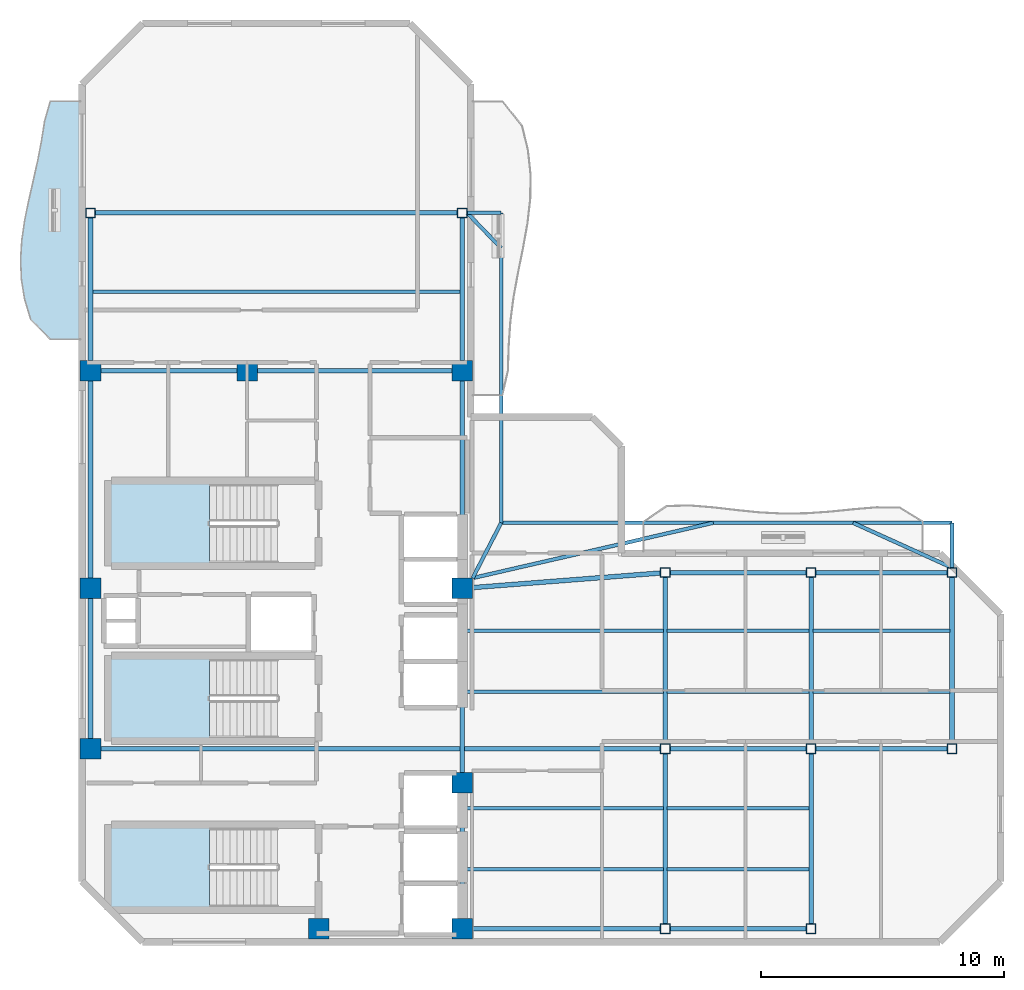
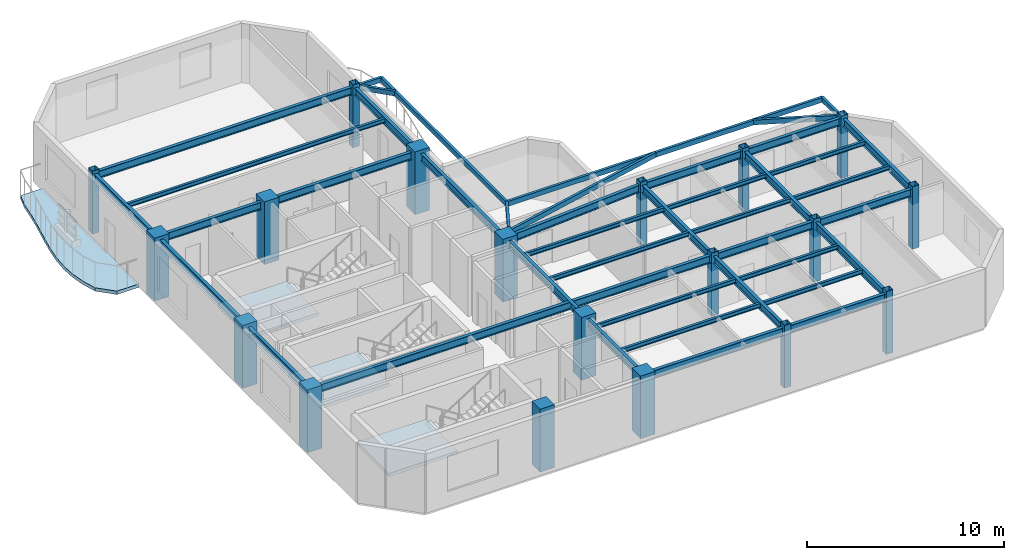
# One storey, part 1 of 7: 42 beams, 19 columns, 4 slabs, 3 elements without a shape of their own.
"""IFC4 building model written with IfcOpenShell, lengths in metres."""

from ifc_helpers import new_model, si_unit, direction, frame, origin, origin_2d, place, context, subcontext, project, spatial, polyline, rectangle, hollow_rectangle, i_section, outline, extrude, material, layer, layer_set, material_profile, profile_set, type_object, element, aggregate, save


model = new_model("IFC4")

# Units and contexts
model_context = context("Model", 3, precision=1e-05, world=origin(), true_north=direction((0.0, 1.0)))
body_context = subcontext(model_context, "Body", "Model", "MODEL_VIEW")
ifc_project = project(units=[si_unit("LENGTHUNIT", "METRE"), si_unit("AREAUNIT", "SQUARE_METRE"), si_unit("VOLUMEUNIT", "CUBIC_METRE"), si_unit("PLANEANGLEUNIT", "RADIAN"), si_unit("MASSUNIT", "GRAM", prefix="KILO")], contexts=[model_context])

# Site, building, storey
site_placement = place(None, origin())
site = spatial("IfcSite", under=ifc_project, at=site_placement, CompositionType="ELEMENT")
building_placement = place(site_placement, origin())
building = spatial("IfcBuilding", under=site, at=building_placement, Name="Mawjaban Terraces University", CompositionType="ELEMENT")
storey_placement = place(building_placement, frame((0.0, 0.0, 291.10009765625)))
storey = spatial("IfcBuildingStorey", under=building, at=storey_placement, Name="L71", CompositionType="ELEMENT", Elevation=291.10009765625)

# Columns
ifc_material_1 = material(Name="Concrete C50/60", Category="concrete")
ifc_material_profile_1 = material_profile(ifc_material_1, rectangle(XDim=0.85009765625, YDim=0.85009765625, at=origin_2d()), Name="RC850X850")
ifc_profile_set_1 = profile_set([ifc_material_profile_1], Name="Concrete C50/60")
column_type_1 = type_object("IfcColumnType", Name="Col_RC850X850", PredefinedType="COLUMN", material=ifc_profile_set_1)
for number, where, z_axis, x_axis, name in (
    (1, (31.75, 0.550048828125, 0.0), (0.0, 0.0, 1.0), (1.0, 0.0, 0.0), "L71 Column CC2"),
    (2, (37.64990234375, 0.550048828125, 0.0), (0.0, 0.0, 1.0), (1.0, 0.0, 0.0), "L71 Column CC3"),
    (3, (22.35009765625, 7.949951171875, 0.0), (0.0, 0.0, 1.0), (1.0, 0.0, 0.0), "L71 Column CC4"),
    (4, (37.64990234375, 6.550048828125, 0.0), (0.0, 0.0, 1.0), (1.0, 0.0, 0.0), "L71 Column CC5"),
    (5, (22.35009765625, 14.550048828125, 0.0), (0.0, 0.0, 1.0), (1.0, 0.0, 0.0), "L71 Column CC6"),
    (6, (37.64990234375, 14.550048828125, 0.0), (0.0, 0.0, 1.0), (1.0, 0.0, 0.0), "L71 Column CC7"),
    (7, (22.35009765625, 23.5, 0.0), (0.0, 0.0, 1.0), (1.0, 0.0, 0.0), "L71 Column CC8"),
    (8, (28.800048828125, 23.5, 0.0), (0.0, 0.0, 1.0), (1.0, 0.0, 0.0), "L71 Column CC9"),
    (9, (37.64990234375, 23.5, 0.0), (0.0, 0.0, 1.0), (1.0, 0.0, 0.0), "L71 Column CC10"),
):
    element("IfcColumn", number, at=place(storey_placement, frame(where, z_axis=z_axis, x_axis=x_axis)), inside=storey, type_object=column_type_1, Name=name, PredefinedType="COLUMN", context=body_context, shape_type="SweptSolid", body=[
        extrude(rectangle(XDim=0.85009765625, YDim=0.85009765625, at=origin_2d()), origin(), (0.0, 0.0, 1.0), 3.89990234375),
    ])
ifc_material_2 = material(Name="Steel EN 10210-1 S355J2H", Category="steel")
ifc_material_profile_2 = material_profile(ifc_material_2, hollow_rectangle(XDim=0.39990234375, YDim=0.39990234375, WallThickness=0.02001953125, at=origin_2d()), Name="SHS400X400X20")
ifc_profile_set_2 = profile_set([ifc_material_profile_2], Name="Steel EN 10210-1 S355J2H")
column_type_2 = type_object("IfcColumnType", Name="Col_SHS400X400X20", PredefinedType="COLUMN", material=ifc_profile_set_2)
for number, where, z_axis, x_axis, name in (
    (10, (46.0, 0.550048828125, 0.0), (0.0, 0.0, 1.0), (1.0, 0.0, 0.0), "L71 Column TE-460-005"),
    (11, (46.0, 7.949951171875, 0.0), (0.0, 0.0, 1.0), (1.0, 0.0, 0.0), "L71 Column TE-460-080"),
    (12, (46.0, 15.199951171875, 0.0), (0.0, 0.0, 1.0), (1.0, 0.0, 0.0), "L71 Column TE-460-152"),
    (13, (52.0, 0.550048828125, 0.0), (0.0, 0.0, 1.0), (1.0, 0.0, 0.0), "L71 Column TE-520-005"),
    (14, (52.0, 7.949951171875, 0.0), (0.0, 0.0, 1.0), (1.0, 0.0, 0.0), "L71 Column TE-520-080"),
    (15, (52.0, 15.199951171875, 0.0), (0.0, 0.0, 1.0), (1.0, 0.0, 0.0), "L71 Column TE-520-152"),
    (16, (57.800048828125, 7.949951171875, 0.0), (0.0, 0.0, 1.0), (1.0, 0.0, 0.0), "L71 Column TE-578-080"),
    (17, (57.800048828125, 15.199951171875, 0.0), (0.0, 0.0, 1.0), (1.0, 0.0, 0.0), "L71 Column TE-578-152"),
    (18, (22.35009765625, 30.0, 0.0), (0.0, 0.0, 1.0), (1.0, 0.0, 0.0), "L71 Column TN-223-300"),
    (19, (37.64990234375, 30.0, 0.0), (0.0, 0.0, 1.0), (1.0, 0.0, 0.0), "L71 Column TN-376-300"),
):
    element("IfcColumn", number, at=place(storey_placement, frame(where, z_axis=z_axis, x_axis=x_axis)), inside=storey, type_object=column_type_2, Name=name, PredefinedType="COLUMN", context=body_context, shape_type="SweptSolid", body=[
        extrude(hollow_rectangle(XDim=0.39990234375, YDim=0.39990234375, WallThickness=0.02001953125, at=origin_2d()), origin(), (0.0, 0.0, 1.0), 3.89990234375),
    ])

# Beams
ifc_material_profile_3 = material_profile(ifc_material_2, hollow_rectangle(XDim=0.14990234375, YDim=0.300048828125, WallThickness=0.012451171875, at=origin_2d()), Name="RHS300X150X12.5")
ifc_profile_set_3 = profile_set([ifc_material_profile_3], Name="Steel EN 10210-1 S355J2H")
beam_type_1 = type_object("IfcBeamType", Name="BalconyCantileverSpandrel_RHS", PredefinedType="SPANDREL", material=ifc_profile_set_3)
beam_1_placement = place(storey_placement, frame((38.074951171875, 14.97509765625, 3.539794921875), z_axis=(0.458922210771, 0.88847645127, 0.0), x_axis=(-0.88847645127, 0.458922210771, 0.0)))
element("IfcBeam", 20, at=beam_1_placement, inside=storey, type_object=beam_type_1, Name="L71 Corner Outrigger BAL-L72-N", PredefinedType="SPANDREL", context=body_context, shape_type="SweptSolid", body=[
    extrude(hollow_rectangle(XDim=0.14990234375, YDim=0.300048828125, WallThickness=0.012451171875, at=origin_2d()), origin(), (0.0, 0.0, 1.0), 2.560546875),
])
beam_2_placement = place(storey_placement, frame((57.800048828125, 15.39990234375, 3.539794921875), z_axis=(0.0, 1.0, 0.0), x_axis=(-1.0, 0.0, 0.0)))
element("IfcBeam", 21, at=beam_2_placement, inside=storey, type_object=beam_type_1, Name="L71 Exterior Outrigger BAL-L72-N.2", PredefinedType="SPANDREL", context=body_context, shape_type="SweptSolid", body=[
    extrude(hollow_rectangle(XDim=0.14990234375, YDim=0.300048828125, WallThickness=0.012451171875, at=origin_2d()), origin(), (0.0, 0.0, 1.0), 1.85009765625),
])
beam_3_placement = place(storey_placement, frame((39.25, 17.25, 3.539794921875), z_axis=(1.0, 0.0, 0.0), x_axis=(0.0, 1.0, 0.0)))
element("IfcBeam", 22, at=beam_3_placement, inside=storey, type_object=beam_type_1, Name="L71 Exterior Edge Spandrel BAL-L72-N", PredefinedType="SPANDREL", context=body_context, shape_type="SweptSolid", body=[
    extrude(hollow_rectangle(XDim=0.14990234375, YDim=0.300048828125, WallThickness=0.012451171875, at=origin_2d()), origin(), (0.0, 0.0, 1.0), 18.550048828125),
])
beam_4_placement = place(storey_placement, frame((38.074951171875, 14.97509765625, 3.539794921875), z_axis=(0.974600999447, 0.223948413426, 0.0), x_axis=(-0.223948413426, 0.974600999447, 0.0)))
element("IfcBeam", 23, at=beam_4_placement, inside=storey, type_object=beam_type_1, Name="L71 Exterior Diagonal Strut BAL-L72-N.1", PredefinedType="SPANDREL", context=body_context, shape_type="SweptSolid", body=[
    extrude(hollow_rectangle(XDim=0.14990234375, YDim=0.300048828125, WallThickness=0.012451171875, at=origin_2d()), origin(), (0.0, 0.0, 1.0), 10.158203125),
])
beam_5_placement = place(storey_placement, frame((57.800048828125, 15.39990234375, 3.539794921875), z_axis=(-0.910547611438, 0.413404217811, 0.0), x_axis=(-0.413404217811, -0.910547611438, 0.0)))
element("IfcBeam", 24, at=beam_5_placement, inside=storey, type_object=beam_type_1, Name="L71 Exterior Diagonal Strut BAL-L72-N.2", PredefinedType="SPANDREL", context=body_context, shape_type="SweptSolid", body=[
    extrude(hollow_rectangle(XDim=0.14990234375, YDim=0.300048828125, WallThickness=0.012451171875, at=origin_2d()), origin(), (0.0, 0.0, 1.0), 4.475341796875),
])
beam_6_placement = place(storey_placement, frame((37.85009765625, 30.0, 3.539794921875), z_axis=(1.0, 0.0, 0.0), x_axis=(0.0, 1.0, 0.0)))
element("IfcBeam", 25, at=beam_6_placement, inside=storey, type_object=beam_type_1, Name="L71 Exterior Outrigger BAL-L72-E.2", PredefinedType="SPANDREL", context=body_context, shape_type="SweptSolid", body=[
    extrude(hollow_rectangle(XDim=0.14990234375, YDim=0.300048828125, WallThickness=0.012451171875, at=origin_2d()), origin(), (0.0, 0.0, 1.0), 1.39990234375),
])
beam_7_placement = place(storey_placement, frame((39.25, 17.25, 3.539794921875), z_axis=(0.0, 1.0, 0.0), x_axis=(-1.0, 0.0, 0.0)))
element("IfcBeam", 26, at=beam_7_placement, inside=storey, type_object=beam_type_1, Name="L71 Exterior Edge Spandrel BAL-L72-E", PredefinedType="SPANDREL", context=body_context, shape_type="SweptSolid", body=[
    extrude(hollow_rectangle(XDim=0.14990234375, YDim=0.300048828125, WallThickness=0.012451171875, at=origin_2d()), origin(), (0.0, 0.0, 1.0), 12.75),
])
beam_8_placement = place(storey_placement, frame((37.85009765625, 30.0, 3.539794921875), z_axis=(0.694581542946, -0.719413983878, 0.0), x_axis=(0.719413983878, 0.694581542946, 0.0)))
element("IfcBeam", 27, at=beam_8_placement, inside=storey, type_object=beam_type_1, Name="L71 Exterior Diagonal Strut BAL-L72-E.1", PredefinedType="SPANDREL", context=body_context, shape_type="SweptSolid", body=[
    extrude(hollow_rectangle(XDim=0.14990234375, YDim=0.300048828125, WallThickness=0.012451171875, at=origin_2d()), origin(), (0.0, 0.0, 1.0), 2.015380859375),
])
ifc_material_3 = material(Name="Steel ASTM A572 Grade 50", Category="steel")
ifc_material_profile_4 = material_profile(ifc_material_3, i_section(OverallWidth=0.19189453125, OverallDepth=0.462890625, WebThickness=0.010498046875, FlangeThickness=0.017578125, at=origin_2d()), Name="W460X89")
ifc_profile_set_4 = profile_set([ifc_material_profile_4], Name="Steel ASTM A572 Grade 50")
beam_type_2 = type_object("IfcBeamType", Name="Beam_B_W460X89", PredefinedType="BEAM", material=ifc_profile_set_4)
beam_9_placement = place(storey_placement, frame((38.074951171875, 0.550048828125, 3.458984375), z_axis=(1.0, 0.0, 0.0), x_axis=(0.0, 1.0, 0.0)))
element("IfcBeam", 28, at=beam_9_placement, inside=storey, type_object=beam_type_2, Name="L71 Beam BM-L71-EW-01", PredefinedType="BEAM", context=body_context, shape_type="SweptSolid", body=[
    extrude(i_section(OverallWidth=0.19189453125, OverallDepth=0.462890625, WebThickness=0.010498046875, FlangeThickness=0.017578125, at=origin_2d()), origin(), (0.0, 0.0, 1.0), 7.72509765625),
])
beam_10_placement = place(storey_placement, frame((46.199951171875, 0.550048828125, 3.458984375), z_axis=(1.0, 0.0, 0.0), x_axis=(0.0, 1.0, 0.0)))
element("IfcBeam", 29, at=beam_10_placement, inside=storey, type_object=beam_type_2, Name="L71 Beam BM-L71-EW-02", PredefinedType="BEAM", context=body_context, shape_type="SweptSolid", body=[
    extrude(i_section(OverallWidth=0.19189453125, OverallDepth=0.462890625, WebThickness=0.010498046875, FlangeThickness=0.017578125, at=origin_2d()), origin(), (0.0, 0.0, 1.0), 5.60009765625),
])
beam_11_placement = place(storey_placement, frame((22.77490234375, 7.949951171875, 3.458984375), z_axis=(1.0, 0.0, 0.0), x_axis=(0.0, 1.0, 0.0)))
element("IfcBeam", 30, at=beam_11_placement, inside=storey, type_object=beam_type_2, Name="L71 Beam BM-L71-EW-03", PredefinedType="BEAM", context=body_context, shape_type="SweptSolid", body=[
    extrude(i_section(OverallWidth=0.19189453125, OverallDepth=0.462890625, WebThickness=0.010498046875, FlangeThickness=0.017578125, at=origin_2d()), origin(), (0.0, 0.0, 1.0), 23.025146484375),
])
beam_12_placement = place(storey_placement, frame((46.199951171875, 7.949951171875, 3.458984375), z_axis=(1.0, 0.0, 0.0), x_axis=(0.0, 1.0, 0.0)))
element("IfcBeam", 31, at=beam_12_placement, inside=storey, type_object=beam_type_2, Name="L71 Beam BM-L71-EW-04", PredefinedType="BEAM", context=body_context, shape_type="SweptSolid", body=[
    extrude(i_section(OverallWidth=0.19189453125, OverallDepth=0.462890625, WebThickness=0.010498046875, FlangeThickness=0.017578125, at=origin_2d()), origin(), (0.0, 0.0, 1.0), 5.60009765625),
])
beam_13_placement = place(storey_placement, frame((52.199951171875, 7.949951171875, 3.458984375), z_axis=(1.0, 0.0, 0.0), x_axis=(0.0, 1.0, 0.0)))
element("IfcBeam", 32, at=beam_13_placement, inside=storey, type_object=beam_type_2, Name="L71 Beam BM-L71-EW-05", PredefinedType="BEAM", context=body_context, shape_type="SweptSolid", body=[
    extrude(i_section(OverallWidth=0.19189453125, OverallDepth=0.462890625, WebThickness=0.010498046875, FlangeThickness=0.017578125, at=origin_2d()), origin(), (0.0, 0.0, 1.0), 5.400146484375),
])
beam_14_placement = place(storey_placement, frame((46.199951171875, 15.199951171875, 3.458984375), z_axis=(1.0, 0.0, 0.0), x_axis=(0.0, 1.0, 0.0)))
element("IfcBeam", 33, at=beam_14_placement, inside=storey, type_object=beam_type_2, Name="L71 Beam BM-L71-EW-06", PredefinedType="BEAM", context=body_context, shape_type="SweptSolid", body=[
    extrude(i_section(OverallWidth=0.19189453125, OverallDepth=0.462890625, WebThickness=0.010498046875, FlangeThickness=0.017578125, at=origin_2d()), origin(), (0.0, 0.0, 1.0), 5.60009765625),
])
beam_15_placement = place(storey_placement, frame((52.199951171875, 15.199951171875, 3.458984375), z_axis=(1.0, 0.0, 0.0), x_axis=(0.0, 1.0, 0.0)))
element("IfcBeam", 34, at=beam_15_placement, inside=storey, type_object=beam_type_2, Name="L71 Beam BM-L71-EW-07", PredefinedType="BEAM", context=body_context, shape_type="SweptSolid", body=[
    extrude(i_section(OverallWidth=0.19189453125, OverallDepth=0.462890625, WebThickness=0.010498046875, FlangeThickness=0.017578125, at=origin_2d()), origin(), (0.0, 0.0, 1.0), 5.400146484375),
])
beam_16_placement = place(storey_placement, frame((22.77490234375, 23.5, 3.458984375), z_axis=(1.0, 0.0, 0.0), x_axis=(0.0, 1.0, 0.0)))
element("IfcBeam", 35, at=beam_16_placement, inside=storey, type_object=beam_type_2, Name="L71 Beam BM-L71-EW-08", PredefinedType="BEAM", context=body_context, shape_type="SweptSolid", body=[
    extrude(i_section(OverallWidth=0.19189453125, OverallDepth=0.462890625, WebThickness=0.010498046875, FlangeThickness=0.017578125, at=origin_2d()), origin(), (0.0, 0.0, 1.0), 5.60009765625),
])
beam_17_placement = place(storey_placement, frame((29.22509765625, 23.5, 3.458984375), z_axis=(1.0, 0.0, 0.0), x_axis=(0.0, 1.0, 0.0)))
element("IfcBeam", 36, at=beam_17_placement, inside=storey, type_object=beam_type_2, Name="L71 Beam BM-L71-EW-09", PredefinedType="BEAM", context=body_context, shape_type="SweptSolid", body=[
    extrude(i_section(OverallWidth=0.19189453125, OverallDepth=0.462890625, WebThickness=0.010498046875, FlangeThickness=0.017578125, at=origin_2d()), origin(), (0.0, 0.0, 1.0), 8.0),
])
beam_18_placement = place(storey_placement, frame((22.550048828125, 30.0, 3.458984375), z_axis=(1.0, 0.0, 0.0), x_axis=(0.0, 1.0, 0.0)))
element("IfcBeam", 37, at=beam_18_placement, inside=storey, type_object=beam_type_2, Name="L71 Beam BM-L71-EW-10", PredefinedType="BEAM", context=body_context, shape_type="SweptSolid", body=[
    extrude(i_section(OverallWidth=0.19189453125, OverallDepth=0.462890625, WebThickness=0.010498046875, FlangeThickness=0.017578125, at=origin_2d()), origin(), (0.0, 0.0, 1.0), 14.89990234375),
])
beam_19_placement = place(storey_placement, frame((22.35009765625, 8.375, 3.458984375), z_axis=(0.0, 1.0, 0.0), x_axis=(-1.0, 0.0, 0.0)))
element("IfcBeam", 38, at=beam_19_placement, inside=storey, type_object=beam_type_2, Name="L71 Beam BM-L71-NS-01", PredefinedType="BEAM", context=body_context, shape_type="SweptSolid", body=[
    extrude(i_section(OverallWidth=0.19189453125, OverallDepth=0.462890625, WebThickness=0.010498046875, FlangeThickness=0.017578125, at=origin_2d()), origin(), (0.0, 0.0, 1.0), 5.75),
])
beam_20_placement = place(storey_placement, frame((22.35009765625, 14.97509765625, 3.458984375), z_axis=(0.0, 1.0, 0.0), x_axis=(-1.0, 0.0, 0.0)))
element("IfcBeam", 39, at=beam_20_placement, inside=storey, type_object=beam_type_2, Name="L71 Beam BM-L71-NS-02", PredefinedType="BEAM", context=body_context, shape_type="SweptSolid", body=[
    extrude(i_section(OverallWidth=0.19189453125, OverallDepth=0.462890625, WebThickness=0.010498046875, FlangeThickness=0.017578125, at=origin_2d()), origin(), (0.0, 0.0, 1.0), 8.099853515625),
])
beam_21_placement = place(storey_placement, frame((22.35009765625, 23.925048828125, 3.458984375), z_axis=(0.0, 1.0, 0.0), x_axis=(-1.0, 0.0, 0.0)))
element("IfcBeam", 40, at=beam_21_placement, inside=storey, type_object=beam_type_2, Name="L71 Beam BM-L71-NS-03", PredefinedType="BEAM", context=body_context, shape_type="SweptSolid", body=[
    extrude(i_section(OverallWidth=0.19189453125, OverallDepth=0.462890625, WebThickness=0.010498046875, FlangeThickness=0.017578125, at=origin_2d()), origin(), (0.0, 0.0, 1.0), 5.875),
])
beam_22_placement = place(storey_placement, frame((37.64990234375, 0.97509765625, 3.458984375), z_axis=(0.0, 1.0, 0.0), x_axis=(-1.0, 0.0, 0.0)))
element("IfcBeam", 41, at=beam_22_placement, inside=storey, type_object=beam_type_2, Name="L71 Beam BM-L71-NS-04", PredefinedType="BEAM", context=body_context, shape_type="SweptSolid", body=[
    extrude(i_section(OverallWidth=0.19189453125, OverallDepth=0.462890625, WebThickness=0.010498046875, FlangeThickness=0.017578125, at=origin_2d()), origin(), (0.0, 0.0, 1.0), 5.14990234375),
])
beam_23_placement = place(storey_placement, frame((37.64990234375, 6.97509765625, 3.458984375), z_axis=(0.0, 1.0, 0.0), x_axis=(-1.0, 0.0, 0.0)))
element("IfcBeam", 42, at=beam_23_placement, inside=storey, type_object=beam_type_2, Name="L71 Beam BM-L71-NS-05", PredefinedType="BEAM", context=body_context, shape_type="SweptSolid", body=[
    extrude(i_section(OverallWidth=0.19189453125, OverallDepth=0.462890625, WebThickness=0.010498046875, FlangeThickness=0.017578125, at=origin_2d()), origin(), (0.0, 0.0, 1.0), 7.14990234375),
])
beam_24_placement = place(storey_placement, frame((37.64990234375, 14.97509765625, 3.458984375), z_axis=(0.0, 1.0, 0.0), x_axis=(-1.0, 0.0, 0.0)))
element("IfcBeam", 43, at=beam_24_placement, inside=storey, type_object=beam_type_2, Name="L71 Beam BM-L71-NS-06", PredefinedType="BEAM", context=body_context, shape_type="SweptSolid", body=[
    extrude(i_section(OverallWidth=0.19189453125, OverallDepth=0.462890625, WebThickness=0.010498046875, FlangeThickness=0.017578125, at=origin_2d()), origin(), (0.0, 0.0, 1.0), 8.099853515625),
])
beam_25_placement = place(storey_placement, frame((37.64990234375, 23.925048828125, 3.458984375), z_axis=(0.0, 1.0, 0.0), x_axis=(-1.0, 0.0, 0.0)))
element("IfcBeam", 44, at=beam_25_placement, inside=storey, type_object=beam_type_2, Name="L71 Beam BM-L71-NS-07", PredefinedType="BEAM", context=body_context, shape_type="SweptSolid", body=[
    extrude(i_section(OverallWidth=0.19189453125, OverallDepth=0.462890625, WebThickness=0.010498046875, FlangeThickness=0.017578125, at=origin_2d()), origin(), (0.0, 0.0, 1.0), 5.875),
])
beam_26_placement = place(storey_placement, frame((46.0, 0.75, 3.458984375), z_axis=(0.0, 1.0, 0.0), x_axis=(-1.0, 0.0, 0.0)))
element("IfcBeam", 45, at=beam_26_placement, inside=storey, type_object=beam_type_2, Name="L71 Beam BM-L71-NS-08", PredefinedType="BEAM", context=body_context, shape_type="SweptSolid", body=[
    extrude(i_section(OverallWidth=0.19189453125, OverallDepth=0.462890625, WebThickness=0.010498046875, FlangeThickness=0.017578125, at=origin_2d()), origin(), (0.0, 0.0, 1.0), 7.0),
])
beam_27_placement = place(storey_placement, frame((46.0, 8.14990234375, 3.458984375), z_axis=(0.0, 1.0, 0.0), x_axis=(-1.0, 0.0, 0.0)))
element("IfcBeam", 46, at=beam_27_placement, inside=storey, type_object=beam_type_2, Name="L71 Beam BM-L71-NS-09", PredefinedType="BEAM", context=body_context, shape_type="SweptSolid", body=[
    extrude(i_section(OverallWidth=0.19189453125, OverallDepth=0.462890625, WebThickness=0.010498046875, FlangeThickness=0.017578125, at=origin_2d()), origin(), (0.0, 0.0, 1.0), 6.85009765625),
])
beam_28_placement = place(storey_placement, frame((52.0, 0.75, 3.458984375), z_axis=(0.0, 1.0, 0.0), x_axis=(-1.0, 0.0, 0.0)))
element("IfcBeam", 47, at=beam_28_placement, inside=storey, type_object=beam_type_2, Name="L71 Beam BM-L71-NS-10", PredefinedType="BEAM", context=body_context, shape_type="SweptSolid", body=[
    extrude(i_section(OverallWidth=0.19189453125, OverallDepth=0.462890625, WebThickness=0.010498046875, FlangeThickness=0.017578125, at=origin_2d()), origin(), (0.0, 0.0, 1.0), 7.0),
])
for number, where, z_axis, x_axis, name in (
    (48, (52.0, 8.14990234375, 3.458984375), (0.0, 1.0, 0.0), (-1.0, 0.0, 0.0), "L71 Beam BM-L71-NS-11"),
    (49, (57.800048828125, 8.14990234375, 3.458984375), (0.0, 1.0, 0.0), (-1.0, 0.0, 0.0), "L71 Beam BM-L71-NS-12"),
):
    element("IfcBeam", number, at=place(storey_placement, frame(where, z_axis=z_axis, x_axis=x_axis)), inside=storey, type_object=beam_type_2, Name=name, PredefinedType="BEAM", context=body_context, shape_type="SweptSolid", body=[
        extrude(i_section(OverallWidth=0.19189453125, OverallDepth=0.462890625, WebThickness=0.010498046875, FlangeThickness=0.017578125, at=origin_2d()), origin(), (0.0, 0.0, 1.0), 6.85009765625),
    ])
beam_29_placement = place(storey_placement, frame((38.073974609375, 14.5830078125, 3.458984375), z_axis=(0.996988151141, 0.077554023005, 0.0), x_axis=(-0.077554023005, 0.996988151141, 0.0)))
element("IfcBeam", 50, at=beam_29_placement, inside=storey, type_object=beam_type_2, Name="L71 Beam BM-L71-CTIE", PredefinedType="BEAM", context=body_context, shape_type="SweptSolid", body=[
    extrude(i_section(OverallWidth=0.19189453125, OverallDepth=0.462890625, WebThickness=0.010498046875, FlangeThickness=0.017578125, at=origin_2d()), origin(), (0.0, 0.0, 1.0), 7.75048828125),
])
ifc_material_profile_5 = material_profile(ifc_material_3, i_section(OverallWidth=0.14794921875, OverallDepth=0.26611328125, WebThickness=0.007568359375, FlangeThickness=0.012939453125, at=origin_2d()), Name="W250X45")
ifc_profile_set_5 = profile_set([ifc_material_profile_5], Name="Steel ASTM A572 Grade 50")
beam_type_3 = type_object("IfcBeamType", Name="Beam_J_W250X45", PredefinedType="JOIST", material=ifc_profile_set_5)
beam_30_placement = place(storey_placement, frame((37.72998046875, 3.0, 3.556884765625), z_axis=(1.0, 0.0, 0.0), x_axis=(0.0, 1.0, 0.0)))
element("IfcBeam", 51, at=beam_30_placement, inside=storey, type_object=beam_type_3, Name="L71 Composite Joist JST-L71-01", PredefinedType="JOIST", context=body_context, shape_type="SweptSolid", body=[
    extrude(i_section(OverallWidth=0.14794921875, OverallDepth=0.26611328125, WebThickness=0.007568359375, FlangeThickness=0.012939453125, at=origin_2d()), origin(), (0.0, 0.0, 1.0), 8.18994140625),
])
beam_31_placement = place(storey_placement, frame((46.080078125, 3.0, 3.556884765625), z_axis=(1.0, 0.0, 0.0), x_axis=(0.0, 1.0, 0.0)))
element("IfcBeam", 52, at=beam_31_placement, inside=storey, type_object=beam_type_3, Name="L71 Composite Joist JST-L71-02", PredefinedType="JOIST", context=body_context, shape_type="SweptSolid", body=[
    extrude(i_section(OverallWidth=0.14794921875, OverallDepth=0.26611328125, WebThickness=0.007568359375, FlangeThickness=0.012939453125, at=origin_2d()), origin(), (0.0, 0.0, 1.0), 5.83984375),
])
beam_32_placement = place(storey_placement, frame((37.72998046875, 5.5, 3.556884765625), z_axis=(1.0, 0.0, 0.0), x_axis=(0.0, 1.0, 0.0)))
element("IfcBeam", 53, at=beam_32_placement, inside=storey, type_object=beam_type_3, Name="L71 Composite Joist JST-L71-03", PredefinedType="JOIST", context=body_context, shape_type="SweptSolid", body=[
    extrude(i_section(OverallWidth=0.14794921875, OverallDepth=0.26611328125, WebThickness=0.007568359375, FlangeThickness=0.012939453125, at=origin_2d()), origin(), (0.0, 0.0, 1.0), 8.18994140625),
])
beam_33_placement = place(storey_placement, frame((46.080078125, 5.5, 3.556884765625), z_axis=(1.0, 0.0, 0.0), x_axis=(0.0, 1.0, 0.0)))
element("IfcBeam", 54, at=beam_33_placement, inside=storey, type_object=beam_type_3, Name="L71 Composite Joist JST-L71-04", PredefinedType="JOIST", context=body_context, shape_type="SweptSolid", body=[
    extrude(i_section(OverallWidth=0.14794921875, OverallDepth=0.26611328125, WebThickness=0.007568359375, FlangeThickness=0.012939453125, at=origin_2d()), origin(), (0.0, 0.0, 1.0), 5.83984375),
])
beam_34_placement = place(storey_placement, frame((37.72998046875, 10.300048828125, 3.556884765625), z_axis=(1.0, 0.0, 0.0), x_axis=(0.0, 1.0, 0.0)))
element("IfcBeam", 55, at=beam_34_placement, inside=storey, type_object=beam_type_3, Name="L71 Composite Joist JST-L71-05", PredefinedType="JOIST", context=body_context, shape_type="SweptSolid", body=[
    extrude(i_section(OverallWidth=0.14794921875, OverallDepth=0.26611328125, WebThickness=0.007568359375, FlangeThickness=0.012939453125, at=origin_2d()), origin(), (0.0, 0.0, 1.0), 8.18994140625),
])
beam_35_placement = place(storey_placement, frame((46.080078125, 10.300048828125, 3.556884765625), z_axis=(1.0, 0.0, 0.0), x_axis=(0.0, 1.0, 0.0)))
element("IfcBeam", 56, at=beam_35_placement, inside=storey, type_object=beam_type_3, Name="L71 Composite Joist JST-L71-06", PredefinedType="JOIST", context=body_context, shape_type="SweptSolid", body=[
    extrude(i_section(OverallWidth=0.14794921875, OverallDepth=0.26611328125, WebThickness=0.007568359375, FlangeThickness=0.012939453125, at=origin_2d()), origin(), (0.0, 0.0, 1.0), 5.83984375),
])
beam_36_placement = place(storey_placement, frame((52.080078125, 10.300048828125, 3.556884765625), z_axis=(1.0, 0.0, 0.0), x_axis=(0.0, 1.0, 0.0)))
element("IfcBeam", 57, at=beam_36_placement, inside=storey, type_object=beam_type_3, Name="L71 Composite Joist JST-L71-07", PredefinedType="JOIST", context=body_context, shape_type="SweptSolid", body=[
    extrude(i_section(OverallWidth=0.14794921875, OverallDepth=0.26611328125, WebThickness=0.007568359375, FlangeThickness=0.012939453125, at=origin_2d()), origin(), (0.0, 0.0, 1.0), 5.639892578125),
])
beam_37_placement = place(storey_placement, frame((37.72998046875, 12.800048828125, 3.556884765625), z_axis=(1.0, 0.0, 0.0), x_axis=(0.0, 1.0, 0.0)))
element("IfcBeam", 58, at=beam_37_placement, inside=storey, type_object=beam_type_3, Name="L71 Composite Joist JST-L71-08", PredefinedType="JOIST", context=body_context, shape_type="SweptSolid", body=[
    extrude(i_section(OverallWidth=0.14794921875, OverallDepth=0.26611328125, WebThickness=0.007568359375, FlangeThickness=0.012939453125, at=origin_2d()), origin(), (0.0, 0.0, 1.0), 8.18994140625),
])
beam_38_placement = place(storey_placement, frame((46.080078125, 12.800048828125, 3.556884765625), z_axis=(1.0, 0.0, 0.0), x_axis=(0.0, 1.0, 0.0)))
element("IfcBeam", 59, at=beam_38_placement, inside=storey, type_object=beam_type_3, Name="L71 Composite Joist JST-L71-09", PredefinedType="JOIST", context=body_context, shape_type="SweptSolid", body=[
    extrude(i_section(OverallWidth=0.14794921875, OverallDepth=0.26611328125, WebThickness=0.007568359375, FlangeThickness=0.012939453125, at=origin_2d()), origin(), (0.0, 0.0, 1.0), 5.83984375),
])
beam_39_placement = place(storey_placement, frame((52.080078125, 12.800048828125, 3.556884765625), z_axis=(1.0, 0.0, 0.0), x_axis=(0.0, 1.0, 0.0)))
element("IfcBeam", 60, at=beam_39_placement, inside=storey, type_object=beam_type_3, Name="L71 Composite Joist JST-L71-10", PredefinedType="JOIST", context=body_context, shape_type="SweptSolid", body=[
    extrude(i_section(OverallWidth=0.14794921875, OverallDepth=0.26611328125, WebThickness=0.007568359375, FlangeThickness=0.012939453125, at=origin_2d()), origin(), (0.0, 0.0, 1.0), 5.639892578125),
])
beam_40_placement = place(storey_placement, frame((22.429931640625, 26.75, 3.556884765625), z_axis=(1.0, 0.0, 0.0), x_axis=(0.0, 1.0, 0.0)))
element("IfcBeam", 61, at=beam_40_placement, inside=storey, type_object=beam_type_3, Name="L71 Composite Joist JST-L71-11", PredefinedType="JOIST", context=body_context, shape_type="SweptSolid", body=[
    extrude(i_section(OverallWidth=0.14794921875, OverallDepth=0.26611328125, WebThickness=0.007568359375, FlangeThickness=0.012939453125, at=origin_2d()), origin(), (0.0, 0.0, 1.0), 15.14013671875),
])

# Slab
ifc_material_4 = material(Name="Concrete C40/50", Category="concrete")
ifc_layer_1 = layer(ifc_material_4, 0.2099609375)
ifc_layer_set_1 = layer_set([ifc_layer_1], Name="Concrete C40/50")
slab_type_1 = type_object("IfcSlabType", Name="BalconySlab_210_Ext", PredefinedType="FLOOR", material=ifc_layer_set_1)
slab_1_placement = place(storey_placement, frame((0.0, 0.0, -0.210205078125)))
element("IfcSlab", 62, at=slab_1_placement, inside=storey, type_object=slab_type_1, Name="L71 Planted Balcony Slab west", PredefinedType="FLOOR", context=body_context, shape_type="SweptSolid", body=[
    extrude(outline(polyline([(22.010009765625, 24.800048828125), (22.010009765625, 34.60009765625), (20.699951171875, 34.60009765625), (20.465087890625, 33.782958984375), (20.3369140625, 32.967041015625), (20.178955078125, 32.14990234375), (19.998046875, 31.3330078125), (19.81103515625, 30.51708984375), (19.64404296875, 29.699951171875), (19.52490234375, 28.883056640625), (19.47509765625, 28.06689453125), (19.510986328125, 27.25), (19.64501953125, 26.43310546875), (19.89208984375, 25.616943359375), (20.699951171875, 24.800048828125), (22.010009765625, 24.800048828125)])), origin(), (0.0, 0.0, 1.0), 0.210205078125),
])

# Stair, slab
stair_type = type_object("IfcStairType", Name="Stair_Core1550_H39", PredefinedType="HALF_TURN_STAIR", material=ifc_material_4)
stair_1_placement = place(storey_placement, origin())
stair_1 = element("IfcStair", 63, at=stair_1_placement, inside=storey, type_object=stair_type, Name="L71 Core Exit Stair 1", PredefinedType="HALF_TURN_STAIR")
ifc_layer_2 = layer(ifc_material_4, 0.199951171875)
ifc_layer_set_2 = layer_set([ifc_layer_2], Name="Concrete C40/50")
slab_type_2 = type_object("IfcSlabType", Name="StairLandingSlab_200", PredefinedType="LANDING", material=ifc_layer_set_2)
slab_2_placement = place(storey_placement, frame((0.0, 0.0, 1.75)))
slab_2 = element("IfcSlab", 64, at=slab_2_placement, type_object=slab_type_2, Name="ST-1 landing 1", PredefinedType="LANDING", context=body_context, shape_type="SweptSolid", body=[
    extrude(outline(polyline([(27.25, 4.699951171875), (23.199951171875, 4.699951171875), (23.199951171875, 1.449951171875), (27.25, 1.449951171875), (27.25, 4.699951171875)])), origin(), (0.0, 0.0, 1.0), 0.199951171875),
])
aggregate(stair_1, [slab_2])

stair_2_placement = place(storey_placement, origin())
stair_2 = element("IfcStair", 65, at=stair_2_placement, inside=storey, type_object=stair_type, Name="L71 Core Exit Stair 2", PredefinedType="HALF_TURN_STAIR")
slab_3_placement = place(storey_placement, frame((0.0, 0.0, 1.75)))
slab_3 = element("IfcSlab", 66, at=slab_3_placement, type_object=slab_type_2, Name="ST-2 landing 1", PredefinedType="LANDING", context=body_context, shape_type="SweptSolid", body=[
    extrude(outline(polyline([(27.25, 18.85009765625), (23.199951171875, 18.85009765625), (23.199951171875, 15.60009765625), (27.25, 15.60009765625), (27.25, 18.85009765625)])), origin(), (0.0, 0.0, 1.0), 0.199951171875),
])
aggregate(stair_2, [slab_3])

stair_3_placement = place(storey_placement, origin())
stair_3 = element("IfcStair", 67, at=stair_3_placement, inside=storey, type_object=stair_type, Name="L71 Core Exit Stair 3", PredefinedType="HALF_TURN_STAIR")
slab_4_placement = place(storey_placement, frame((0.0, 0.0, 1.75)))
slab_4 = element("IfcSlab", 68, at=slab_4_placement, type_object=slab_type_2, Name="ST-3 landing 1", PredefinedType="LANDING", context=body_context, shape_type="SweptSolid", body=[
    extrude(outline(polyline([(27.25, 11.64990234375), (23.199951171875, 11.64990234375), (23.199951171875, 8.39990234375), (27.25, 8.39990234375), (27.25, 11.64990234375)])), origin(), (0.0, 0.0, 1.0), 0.199951171875),
])
aggregate(stair_3, [slab_4])

save(model, "model.ifc")
